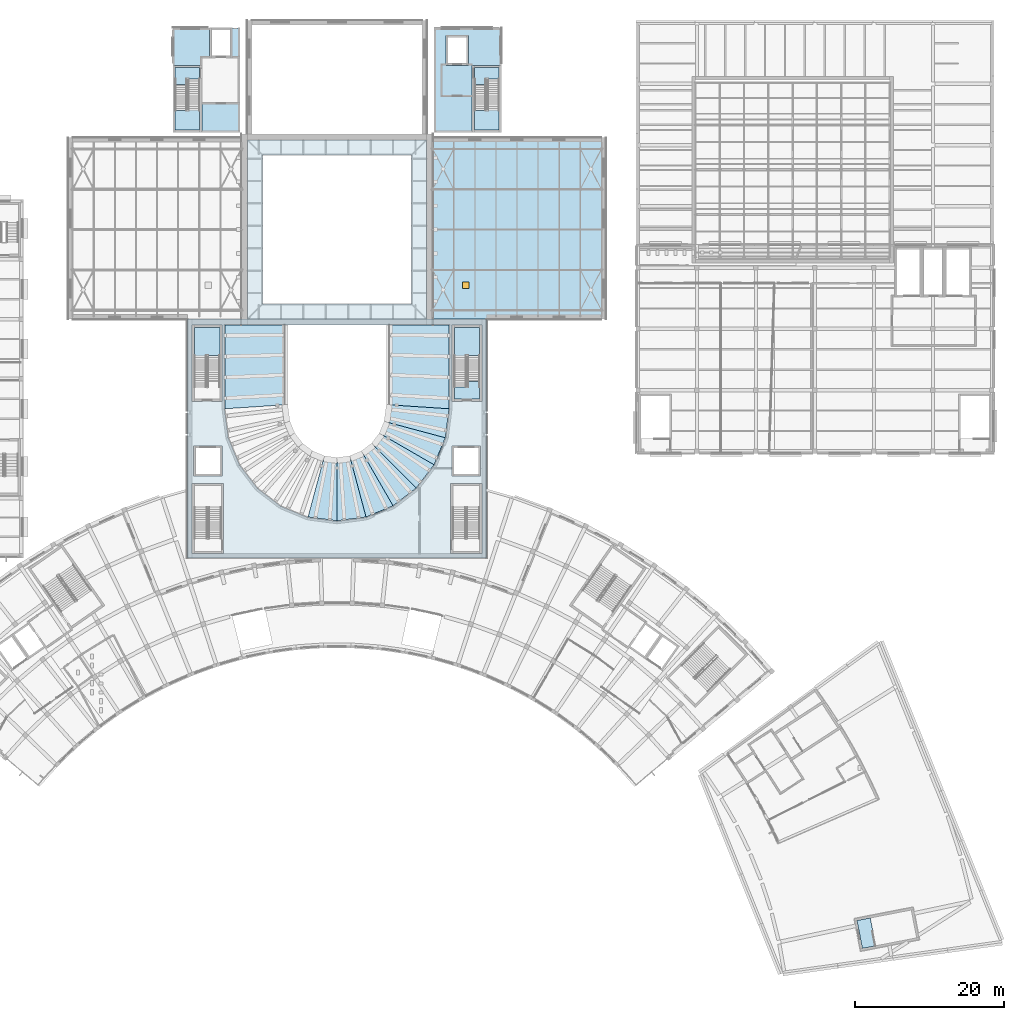
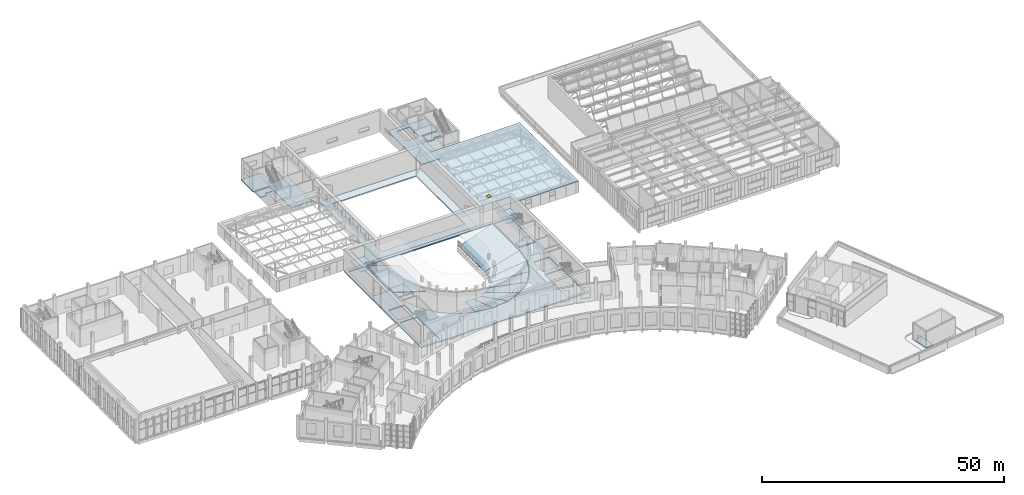
# One storey, part 65 of 132: 22 slabs, 1 door, 1 opening, 4 elements without a shape of their own.
"""IFC4 building model written with IfcOpenShell, lengths in metres."""

from ifc_helpers import new_model, si_unit, direction, frame, origin, origin_2d, place, context, subcontext, project, spatial, polyline, rectangle, outline, extrude, material, layer, layer_set, type_object, element, fill, aggregate, save


model = new_model("IFC4")

# Units and contexts
model_context = context("Model", 3, precision=1e-05, world=origin(), true_north=direction((0.0, 1.0)))
body_context = subcontext(model_context, "Body", "Model", "MODEL_VIEW")
ifc_project = project(units=[si_unit("LENGTHUNIT", "METRE"), si_unit("AREAUNIT", "SQUARE_METRE"), si_unit("VOLUMEUNIT", "CUBIC_METRE"), si_unit("PLANEANGLEUNIT", "RADIAN"), si_unit("MASSUNIT", "GRAM", prefix="KILO")], contexts=[model_context])

# Site, building, storey
site_placement = place(None, origin())
site = spatial("IfcSite", under=ifc_project, at=site_placement, CompositionType="ELEMENT")
building_placement = place(site_placement, origin())
building = spatial("IfcBuilding", under=site, at=building_placement, Name="Lunette Opera House", CompositionType="ELEMENT")
storey_placement = place(building_placement, frame((0.0, 0.0, 17.0)))
storey = spatial("IfcBuildingStorey", under=building, at=storey_placement, Name="L03", CompositionType="ELEMENT", Elevation=17.0)

# Slabs
ifc_material_1 = material(Name="Concrete C35/45", Category="concrete")
ifc_layer_1 = layer(ifc_material_1, 0.219970703125)
ifc_layer_set_1 = layer_set([ifc_layer_1], Name="Concrete C35/45")
slab_type_1 = type_object("IfcSlabType", Name="CORE LANDING SLAB 220", PredefinedType="LANDING", material=ifc_layer_set_1)
slab_1_placement = place(storey_placement, frame((0.0, 0.0, -0.219970703125)))
element("IfcSlab", 1, at=slab_1_placement, inside=storey, type_object=slab_type_1, Name="ST11 floor landing", PredefinedType="LANDING", context=body_context, shape_type="SweptSolid", body=[
    extrude(outline(polyline([(77.60009765625, 129.699951171875), (77.60009765625, 128.139892578125), (76.050048828125, 128.139892578125), (76.050048828125, 128.14990234375), (75.85009765625, 128.14990234375), (75.85009765625, 127.449951171875), (74.300048828125, 127.449951171875), (74.300048828125, 129.699951171875), (77.60009765625, 129.699951171875)])), origin(), (0.0, 0.0, 1.0), 0.219970703125),
])
slab_2_placement = place(storey_placement, frame((0.0, 0.0, -0.219970703125)))
element("IfcSlab", 2, at=slab_2_placement, inside=storey, type_object=slab_type_1, Name="ST12 floor landing", PredefinedType="LANDING", context=body_context, shape_type="SweptSolid", body=[
    extrude(outline(polyline([(117.699951171875, 128.139892578125), (116.14990234375, 128.139892578125), (116.14990234375, 128.14990234375), (115.949951171875, 128.14990234375), (115.949951171875, 127.449951171875), (114.39990234375, 127.449951171875), (114.39990234375, 129.699951171875), (117.699951171875, 129.699951171875), (117.699951171875, 128.139892578125)])), origin(), (0.0, 0.0, 1.0), 0.219970703125),
])
slab_3_placement = place(storey_placement, frame((0.0, 0.0, -0.219970703125)))
element("IfcSlab", 3, at=slab_3_placement, inside=storey, type_object=slab_type_1, Name="ST22 floor landing", PredefinedType="LANDING", context=body_context, shape_type="SweptSolid", body=[
    extrude(outline(polyline([(165.626953125, 15.469970703125), (167.404052734375, 15.81494140625), (167.748046875, 14.048095703125), (167.738037109375, 14.0458984375), (168.118896484375, 12.0830078125), (166.35205078125, 11.739990234375), (165.626953125, 15.469970703125)])), origin(), (0.0, 0.0, 1.0), 0.219970703125),
])
ifc_material_2 = material(Name="Concrete C35/45", Category="concrete")
ifc_layer_2 = layer(ifc_material_2, 0.300048828125)
ifc_layer_set_2 = layer_set([ifc_layer_2], Name="Concrete C35/45")
slab_type_2 = type_object("IfcSlabType", Name="CORE LANDING SLAB 300", PredefinedType="LANDING", material=ifc_layer_set_2)
slab_4_placement = place(storey_placement, frame((0.0, 0.0, -0.300048828125)))
element("IfcSlab", 4, at=slab_4_placement, inside=storey, type_object=slab_type_2, Name="ST9 floor landing", PredefinedType="LANDING", context=body_context, shape_type="SweptSolid", body=[
    extrude(outline(polyline([(111.699951171875, 85.300048828125), (111.699951171875, 86.929931640625), (113.320068359375, 86.929931640625), (113.320068359375, 86.919921875), (113.47998046875, 86.919921875), (113.47998046875, 87.6201171875), (115.10009765625, 87.6201171875), (115.10009765625, 85.300048828125), (111.699951171875, 85.300048828125)])), origin(), (0.0, 0.0, 1.0), 0.300048828125),
])
ifc_material_3 = material(Name="Concrete C35/45", Category="concrete")
ifc_layer_3 = layer(ifc_material_3, 0.219970703125)
ifc_layer_set_3 = layer_set([ifc_layer_3], Name="Concrete C35/45")
slab_type_3 = type_object("IfcSlabType", Name="FLOOR SLAB 220", PredefinedType="FLOOR", material=ifc_layer_set_3)
slab_5_placement = place(storey_placement, frame((0.0, 0.0, -0.219970703125)))
element("IfcSlab", 5, at=slab_5_placement, inside=storey, type_object=slab_type_3, Name="slab-ST-L03-F1", PredefinedType="FLOOR", context=body_context, shape_type="SweptSolid", body=[
    extrude(outline(polyline([(78.949951171875, 135.0), (74.0, 135.0), (74.0, 130.0), (77.89990234375, 130.0), (77.89990234375, 121.0), (83.0, 121.0), (83.0, 135.0), (81.949951171875, 135.0), (81.949951171875, 131.0), (78.949951171875, 131.0), (78.949951171875, 135.0)])), origin(), (0.0, 0.0, 1.0), 0.219970703125),
])
slab_6_placement = place(storey_placement, frame((0.0, 0.0, -0.219970703125)))
element("IfcSlab", 6, at=slab_6_placement, inside=storey, type_object=slab_type_3, Name="slab-ST-L03-F2", PredefinedType="FLOOR", context=body_context, shape_type="SweptSolid", body=[
    extrude(outline(polyline([(109.0, 121.0), (114.10009765625, 121.0), (114.10009765625, 130.0), (118.0, 130.0), (118.0, 135.0), (109.0, 135.0), (109.0, 121.0)]), holes=[polyline([(110.60009765625, 130.0), (110.60009765625, 134.0), (113.60009765625, 134.0), (113.60009765625, 130.0), (110.60009765625, 130.0)])]), origin(), (0.0, 0.0, 1.0), 0.219970703125),
])
ifc_material_4 = material(Name="Concrete C35/45", Category="concrete")
ifc_layer_4 = layer(ifc_material_4, 0.300048828125)
ifc_layer_set_4 = layer_set([ifc_layer_4], Name="Concrete C35/45")
slab_type_4 = type_object("IfcSlabType", Name="FLOOR SLAB 300", PredefinedType="FLOOR", material=ifc_layer_set_4)
slab_7_placement = place(storey_placement, frame((0.0, 0.0, -0.300048828125)))
element("IfcSlab", 7, at=slab_7_placement, inside=storey, type_object=slab_type_4, Name="slab-AU-L03-F1", PredefinedType="FLOOR", context=body_context, shape_type="SweptSolid", body=[
    extrude(outline(polyline([(116.0, 96.0), (76.0, 96.0), (76.0, 64.0), (116.0, 64.0), (116.0, 96.0)]), holes=[polyline([(89.080078125, 95.199951171875), (102.919921875, 95.199951171875), (102.919921875, 95.280029296875), (111.080078125, 95.280029296875), (111.080078125, 83.9951171875), (110.56689453125, 80.096923828125), (109.06005859375, 76.4599609375), (106.6640625, 73.3359375), (103.5400390625, 70.93994140625), (99.903076171875, 69.43310546875), (96.0, 68.9189453125), (92.096923828125, 69.43310546875), (88.4599609375, 70.93994140625), (85.3359375, 73.3359375), (82.93994140625, 76.4599609375), (81.43310546875, 80.096923828125), (80.919921875, 83.9951171875), (80.919921875, 95.280029296875), (89.080078125, 95.280029296875), (89.080078125, 95.199951171875)]), polyline([(80.800048828125, 64.60009765625), (76.60009765625, 64.60009765625), (76.60009765625, 74.0), (80.800048828125, 74.0), (80.800048828125, 64.60009765625)]), polyline([(111.199951171875, 64.60009765625), (111.199951171875, 74.0), (115.39990234375, 74.0), (115.39990234375, 64.60009765625), (111.199951171875, 64.60009765625)]), polyline([(76.800048828125, 75.0), (76.800048828125, 79.0), (80.60009765625, 79.0), (80.60009765625, 75.0), (76.800048828125, 75.0)]), polyline([(115.199951171875, 75.0), (111.39990234375, 75.0), (111.39990234375, 79.0), (115.199951171875, 79.0), (115.199951171875, 75.0)]), polyline([(76.60009765625, 85.0), (76.60009765625, 95.199951171875), (80.60009765625, 95.199951171875), (80.60009765625, 85.0), (76.60009765625, 85.0)]), polyline([(111.39990234375, 85.0), (111.39990234375, 95.199951171875), (115.39990234375, 95.199951171875), (115.39990234375, 85.0), (111.39990234375, 85.0)])]), origin(), (0.0, 0.0, 1.0), 0.300048828125),
])
ifc_material_5 = material(Name="Steel S235 grating", Category="steel")
ifc_layer_5 = layer(ifc_material_5, 0.06005859375)
ifc_layer_set_5 = layer_set([ifc_layer_5], Name="Steel S235 grating")
slab_type_5 = type_object("IfcSlabType", Name="GALLERY GRATING 60", PredefinedType="LANDING", material=ifc_layer_set_5)
slab_8_placement = place(storey_placement, frame((0.0, 0.0, -0.06005859375)))
element("IfcSlab", 8, at=slab_8_placement, inside=storey, type_object=slab_type_5, Name="slab-ST-L03-FG2-1", PredefinedType="LANDING", context=body_context, shape_type="SweptSolid", body=[
    extrude(outline(polyline([(84.0, 96.0), (108.0, 96.0), (108.0, 120.0), (84.0, 120.0), (84.0, 96.0)]), holes=[polyline([(106.0, 118.0), (106.0, 98.0), (86.0, 98.0), (86.0, 118.0), (106.0, 118.0)])]), origin(), (0.0, 0.0, 1.0), 0.06005859375),
])

# Slab, opening, door
ifc_material_6 = material(Name="Concrete C35/45", Category="concrete")
ifc_layer_6 = layer(ifc_material_6, 0.1201171875)
ifc_layer_set_6 = layer_set([ifc_layer_6], Name="Concrete C35/45")
slab_type_6 = type_object("IfcSlabType", Name="ROOF DECK 120", PredefinedType="ROOF", material=ifc_layer_set_6)
slab_9_placement = place(storey_placement, frame((0.0, 0.0, 2.8798828125)))
slab_9 = element("IfcSlab", 9, at=slab_9_placement, inside=storey, type_object=slab_type_6, Name="slab-ST-L03-SER-DK", PredefinedType="ROOF", context=body_context, shape_type="SweptSolid", body=[
    extrude(outline(polyline([(132.0, 96.0), (132.0, 120.300048828125), (108.800048828125, 120.300048828125), (108.800048828125, 96.0), (132.0, 96.0)])), origin(), (0.0, 0.0, 1.0), 0.1201171875),
])
opening_placement = place(slab_9_placement, frame((113.23291015625, 100.52490234375, 0.0)))
opening = element("IfcOpeningElement", 10, at=opening_placement, cuts=slab_9, Name="Opening ST-D2004", PredefinedType="OPENING", context=body_context, shape_type="SweptSolid", body=[
    extrude(rectangle(XDim=0.89990234375, YDim=0.89990234375, at=origin_2d()), origin(), (0.0, 0.0, 1.0), 0.1201171875),
])
ifc_material_7 = material(Name="Insulated steel", Category="steel")
door_type = type_object("IfcDoorType", Name="ROOF HATCH 900 X 900", OperationType="SINGLE_SWING_LEFT", PredefinedType="TRAPDOOR", material=ifc_material_7)
door_placement = place(opening_placement, frame((0.0, 0.0, 0.070068359375)))
door = element("IfcDoor", 11, at=door_placement, inside=storey, type_object=door_type, Name="Roof hatch ST 1", OperationType="SINGLE_SWING_LEFT", OverallHeight=0.89990234375, OverallWidth=0.89990234375, PredefinedType="TRAPDOOR", context=body_context, shape_type="SweptSolid", body=[
    extrude(rectangle(XDim=0.89990234375, YDim=0.89990234375, at=origin_2d()), origin(), (0.0, 0.0, 1.0), 0.050048828125),
])
fill(opening, door)

# Stair, slab
ifc_material_8 = material(Name="Concrete C35/45", Category="concrete")
stair_type_1 = type_object("IfcStairType", Name="DOGLEG STAIR 1620", PredefinedType="HALF_TURN_STAIR", material=ifc_material_8)
stair_1_placement = place(storey_placement, origin())
stair_1 = element("IfcStair", 12, at=stair_1_placement, inside=storey, type_object=stair_type_1, Name="L03 stair ST10", PredefinedType="HALF_TURN_STAIR")
ifc_material_9 = material(Name="Concrete C35/45", Category="concrete")
ifc_layer_7 = layer(ifc_material_9, 0.199951171875)
ifc_layer_set_7 = layer_set([ifc_layer_7], Name="Concrete C35/45")
slab_type_7 = type_object("IfcSlabType", Name="STAIR LANDING SLAB 200", PredefinedType="LANDING", material=ifc_layer_set_7)
slab_10_placement = place(storey_placement, frame((0.0, 0.0, 2.550048828125)))
slab_10 = element("IfcSlab", 13, at=slab_10_placement, type_object=slab_type_7, Name="ST10 landing 1", PredefinedType="LANDING", context=body_context, shape_type="SweptSolid", body=[
    extrude(outline(polyline([(80.300048828125, 91.110107421875), (78.679931640625, 91.110107421875), (78.679931640625, 91.1201171875), (78.52001953125, 91.1201171875), (78.52001953125, 90.419921875), (76.89990234375, 90.419921875), (76.89990234375, 94.89990234375), (80.300048828125, 94.89990234375), (80.300048828125, 91.110107421875)])), origin(), (0.0, 0.0, 1.0), 0.199951171875),
])
aggregate(stair_1, [slab_10])

ifc_material_10 = material(Name="Concrete C35/45", Category="concrete")
stair_type_2 = type_object("IfcStairType", Name="DOGLEG STAIR 1550", PredefinedType="HALF_TURN_STAIR", material=ifc_material_10)
stair_2_placement = place(storey_placement, origin())
stair_2 = element("IfcStair", 14, at=stair_2_placement, inside=storey, type_object=stair_type_2, Name="L03 stair ST11", PredefinedType="HALF_TURN_STAIR")
slab_11_placement = place(storey_placement, frame((0.0, 0.0, 2.550048828125)))
slab_11 = element("IfcSlab", 15, at=slab_11_placement, type_object=slab_type_7, Name="ST11 landing 1", PredefinedType="LANDING", context=body_context, shape_type="SweptSolid", body=[
    extrude(outline(polyline([(74.300048828125, 121.300048828125), (74.300048828125, 123.9599609375), (75.85009765625, 123.9599609375), (75.85009765625, 123.949951171875), (76.050048828125, 123.949951171875), (76.050048828125, 124.64990234375), (77.60009765625, 124.64990234375), (77.60009765625, 121.300048828125), (74.300048828125, 121.300048828125)])), origin(), (0.0, 0.0, 1.0), 0.199951171875),
])
aggregate(stair_2, [slab_11])

stair_3_placement = place(storey_placement, origin())
stair_3 = element("IfcStair", 16, at=stair_3_placement, inside=storey, type_object=stair_type_2, Name="L03 stair ST12", PredefinedType="HALF_TURN_STAIR")
slab_12_placement = place(storey_placement, frame((0.0, 0.0, 2.550048828125)))
slab_12 = element("IfcSlab", 17, at=slab_12_placement, type_object=slab_type_7, Name="ST12 landing 1", PredefinedType="LANDING", context=body_context, shape_type="SweptSolid", body=[
    extrude(outline(polyline([(114.39990234375, 121.300048828125), (114.39990234375, 123.9599609375), (115.949951171875, 123.9599609375), (115.949951171875, 123.949951171875), (116.14990234375, 123.949951171875), (116.14990234375, 124.64990234375), (117.699951171875, 124.64990234375), (117.699951171875, 121.300048828125), (114.39990234375, 121.300048828125)])), origin(), (0.0, 0.0, 1.0), 0.199951171875),
])
aggregate(stair_3, [slab_12])

stair_4_placement = place(storey_placement, origin())
stair_4 = element("IfcStair", 18, at=stair_4_placement, inside=storey, type_object=stair_type_1, Name="L03 stair ST9", PredefinedType="HALF_TURN_STAIR")
slab_13_placement = place(storey_placement, frame((0.0, 0.0, 2.550048828125)))
slab_13 = element("IfcSlab", 19, at=slab_13_placement, type_object=slab_type_7, Name="ST9 landing 1", PredefinedType="LANDING", context=body_context, shape_type="SweptSolid", body=[
    extrude(outline(polyline([(115.10009765625, 94.89990234375), (115.10009765625, 91.110107421875), (113.47998046875, 91.110107421875), (113.47998046875, 91.1201171875), (113.320068359375, 91.1201171875), (113.320068359375, 90.419921875), (111.699951171875, 90.419921875), (111.699951171875, 94.89990234375), (115.10009765625, 94.89990234375)])), origin(), (0.0, 0.0, 1.0), 0.199951171875),
])
aggregate(stair_4, [slab_13])

# Slabs
ifc_material_11 = material(Name="Concrete C35/45", Category="concrete")
ifc_layer_8 = layer(ifc_material_11, 0.199951171875)
ifc_layer_set_8 = layer_set([ifc_layer_8], Name="Concrete C35/45")
slab_type_8 = type_object("IfcSlabType", Name="TIER SLAB 200", PredefinedType="FLOOR", material=ifc_layer_set_8)
slab_14_placement = place(storey_placement, frame((81.0, 95.199951171875, 0.0), z_axis=(0.330355556878, 0.0, 0.943856560098), x_axis=(0.0, -1.0, 0.0)))
element("IfcSlab", 20, at=slab_14_placement, inside=storey, type_object=slab_type_8, Name="slab-AU-L03-T2-01", PredefinedType="FLOOR", context=body_context, shape_type="SweptSolid", body=[
    extrude(outline(polyline([(0.0, 0.0), (11.199951171875, 0.0), (10.676025390625, 8.475864170683966), (0.0, 8.475864170683966), (0.0, 0.0)])), origin(), (0.0, 0.0, -1.0), 0.199951171875),
])
slab_15_placement = place(storey_placement, frame((92.117919921875, 69.510986328125, 0.0), z_axis=(0.043095560889, 0.327534715626, 0.943855806091), x_axis=(0.991448859274, -0.130495820609, 1.5751146e-05)))
element("IfcSlab", 21, at=slab_15_placement, inside=storey, type_object=slab_type_8, Name="slab-AU-L03-T2-07", PredefinedType="FLOOR", context=body_context, shape_type="SweptSolid", body=[
    extrude(outline(polyline([(0.0, 0.0), (3.915565445275552, -5.551115123125783e-17), (2.8625385856954266, 8.47594539240389), (1.0531574380751165, 8.475672432314385), (0.0, 0.0)])), origin(), (0.0, 0.0, -1.0), 0.199951171875),
])
slab_16_placement = place(storey_placement, frame((96.0, 69.0, 0.0), z_axis=(-0.043095560889, 0.327534715626, 0.943855806091), x_axis=(0.991448859274, 0.130495820609, -1.5751146e-05)))
element("IfcSlab", 22, at=slab_16_placement, inside=storey, type_object=slab_type_8, Name="slab-AU-L03-T2-08", PredefinedType="FLOOR", context=body_context, shape_type="SweptSolid", body=[
    extrude(outline(polyline([(0.0, 0.0), (3.915565445275552, 5.551115123125783e-17), (2.8624080072004356, 8.475672432314383), (1.0530268595801253, 8.475945392403888), (0.0, 0.0)])), origin(), (0.0, 0.0, -1.0), 0.199951171875),
])
slab_17_placement = place(storey_placement, frame((99.882080078125, 69.510986328125, 0.0), z_axis=(-0.126487742632, 0.305182142373, 0.943856297823), x_axis=(0.923835773944, 0.382789056166, 3.5511095e-05)))
element("IfcSlab", 23, at=slab_17_placement, inside=storey, type_object=slab_type_8, Name="slab-AU-L03-T2-09", PredefinedType="FLOOR", context=body_context, shape_type="SweptSolid", body=[
    extrude(outline(polyline([(0.0, 0.0), (3.9161736179037447, 2.220446049250313e-16), (2.863422163297033, 8.476152792710957), (1.0542439398836545, 8.475537355651632), (0.0, 0.0)])), origin(), (0.0, 0.0, -1.0), 0.199951171875),
])
slab_18_placement = place(storey_placement, frame((103.5, 71.010009765625, 0.0), z_axis=(-0.201039491463, 0.262121912805, 0.943861867913), x_axis=(0.793475672529, 0.608601969299, -8.440469e-06)))
element("IfcSlab", 24, at=slab_18_placement, inside=storey, type_object=slab_type_8, Name="slab-AU-L03-T2-10", PredefinedType="FLOOR", context=body_context, shape_type="SweptSolid", body=[
    extrude(outline(polyline([(0.0, 0.0), (3.9156091872367873, 2.220446049250313e-16), (2.860733360050136, 8.476180190472407), (1.051352180441481, 8.476326468684544), (0.0, 0.0)])), origin(), (0.0, 0.0, -1.0), 0.199951171875),
])
slab_19_placement = place(storey_placement, frame((106.60693359375, 73.39306640625, 0.0), z_axis=(-0.262121912805, 0.201039491463, 0.943861867913), x_axis=(0.608601969299, 0.793475672529, 8.440469e-06)))
element("IfcSlab", 25, at=slab_19_placement, inside=storey, type_object=slab_type_8, Name="slab-AU-L03-T2-11", PredefinedType="FLOOR", context=body_context, shape_type="SweptSolid", body=[
    extrude(outline(polyline([(0.0, 0.0), (3.9156091872367873, -2.220446049250313e-16), (2.8642570067953064, 8.476326468684544), (1.054875827186652, 8.476180190472407), (0.0, 0.0)])), origin(), (0.0, 0.0, -1.0), 0.199951171875),
])
slab_20_placement = place(storey_placement, frame((108.989990234375, 76.5, 0.0), z_axis=(-0.305182142373, 0.126487742632, 0.943856297823), x_axis=(0.382789056166, 0.923835773944, -3.5511095e-05)))
element("IfcSlab", 26, at=slab_20_placement, inside=storey, type_object=slab_type_8, Name="slab-AU-L03-T2-12", PredefinedType="FLOOR", context=body_context, shape_type="SweptSolid", body=[
    extrude(outline(polyline([(0.0, 0.0), (3.9161736179037447, -2.220446049250313e-16), (2.8619296780200902, 8.475537355651632), (1.052751454606712, 8.476152792710957), (0.0, 0.0)])), origin(), (0.0, 0.0, -1.0), 0.199951171875),
])
slab_21_placement = place(storey_placement, frame((110.489013671875, 80.117919921875, 0.0), z_axis=(-0.327536231334, 0.043104000202, 0.943854894743), x_axis=(0.130498496325, 0.991448507181, 8.04046e-06)))
element("IfcSlab", 27, at=slab_21_placement, inside=storey, type_object=slab_type_8, Name="slab-AU-L03-T2-13", PredefinedType="FLOOR", context=body_context, shape_type="SweptSolid", body=[
    extrude(outline(polyline([(0.0, 0.0), (3.915565445678705, 5.551115123125783e-17), (3.3910003950938665, 8.475824630720892), (1.053157438772987, 8.475672432413916), (0.0, 0.0)])), origin(), (0.0, 0.0, -1.0), 0.199951171875),
])
slab_22_placement = place(storey_placement, frame((111.0, 84.0, 0.0), z_axis=(-0.330355556878, 0.0, 0.943856560098), x_axis=(0.0, 1.0, 0.0)))
element("IfcSlab", 28, at=slab_22_placement, inside=storey, type_object=slab_type_8, Name="slab-AU-L03-T2-14", PredefinedType="FLOOR", context=body_context, shape_type="SweptSolid", body=[
    extrude(outline(polyline([(0.0, 0.0), (11.199951171875, 0.0), (11.199951171875, 8.475864170683966), (0.52392578125, 8.475864170683966), (0.0, 0.0)])), origin(), (0.0, 0.0, -1.0), 0.199951171875),
])

save(model, "model.ifc")
